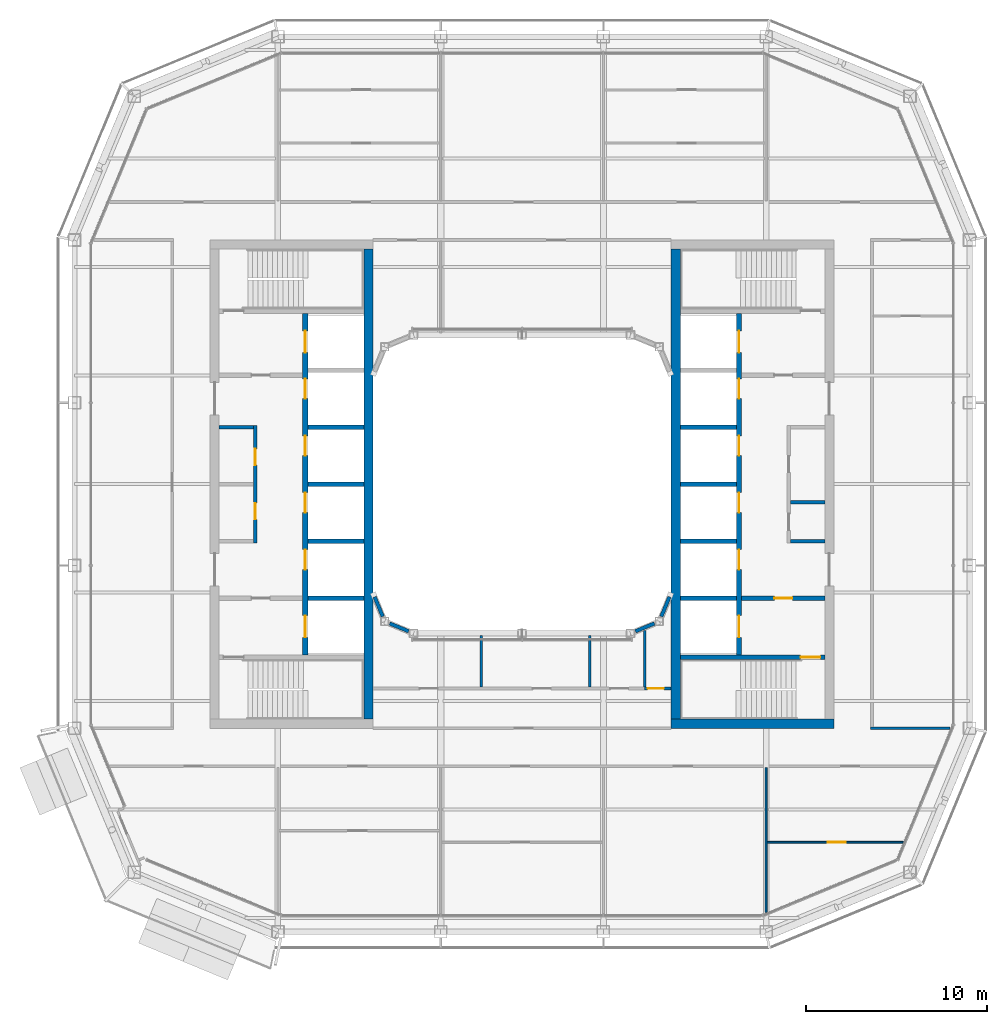
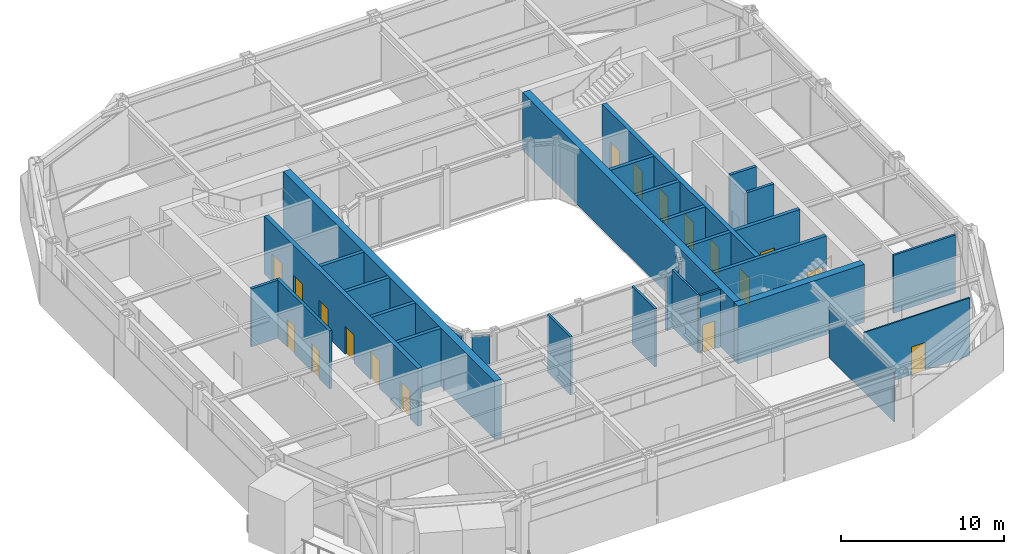
# One storey, part 12 of 21: 30 walls, 18 doors, 18 openings.
"""IFC4 building model written with IfcOpenShell, lengths in metres."""

import ifcopenshell
import ifcopenshell.guid

model = None  # the IFC model being written
_history = None  # IfcOwnerHistory: only IFC2X3 demands one
_inside = {}  # id of a spatial element -> (the spatial element, [elements in it])
_under = {}  # id of a project, library or spatial element -> (it, [spatial elements below it])
_declared = {}  # id of a project -> (the project, [libraries it declares])
_typed = {}  # id of a type object -> (the type object, [elements of that type])
_made_of = {}  # id of a material, layer set ... -> (it, [elements and type objects made of it])


def new_model(schema):
    """Start an empty IFC model of exactly this schema.

    Asked for "IFC4X3", IfcOpenShell would pick the latest addendum, in which some entities
    have other attributes; the version numbers below select the first issue.
    IFC2X3 requires an IfcOwnerHistory on every rooted entity: one is made here for all.
    """
    global model, _history
    if schema == "IFC4X3":
        model = ifcopenshell.file(schema_version=(4, 3, 0, 0))
    else:
        model = ifcopenshell.file(schema=schema)
    _inside.clear()
    _under.clear()
    _declared.clear()
    _typed.clear()
    _made_of.clear()
    _history = None
    if model.schema == "IFC2X3":
        org = make("IfcOrganization", Name="unknown")
        user = make(
            "IfcPersonAndOrganization",
            ThePerson=make("IfcPerson", FamilyName="unknown"),
            TheOrganization=org,
        )
        app = make(
            "IfcApplication",
            ApplicationDeveloper=org,
            Version="unknown",
            ApplicationFullName="unknown",
            ApplicationIdentifier="unknown",
        )
        _history = make(
            "IfcOwnerHistory",
            OwningUser=user,
            OwningApplication=app,
            ChangeAction="ADDED",
            CreationDate=0,
        )
    return model


def make(cls, **values):
    """One entity of the class cls with the attributes given. An attribute that is None is left unset."""
    return model.create_entity(
        cls, **{name: value for name, value in values.items() if value is not None}
    )


def rooted(cls, **values):
    """An entity with a GlobalId (a new one), such as an element, a storey or a relation."""
    return make(cls, GlobalId=ifcopenshell.guid.new(), OwnerHistory=_history, **values)


def si_unit(unit_type, name, prefix=None):
    """IfcSIUnit, for example si_unit("LENGTHUNIT", "METRE", prefix="MILLI")."""
    return make("IfcSIUnit", UnitType=unit_type, Prefix=prefix, Name=name)


def assignment(units):
    """IfcUnitAssignment: the units of a project."""
    return None if units is None else make("IfcUnitAssignment", Units=units)


def point(xyz):
    """IfcCartesianPoint."""
    return None if xyz is None else make("IfcCartesianPoint", Coordinates=xyz)


def direction(xyz):
    """IfcDirection."""
    return None if xyz is None else make("IfcDirection", DirectionRatios=xyz)


def frame(location, z_axis=None, x_axis=None):
    """IfcAxis2Placement3D, a coordinate frame: its origin and axes. An axis left out is left unset."""
    return make(
        "IfcAxis2Placement3D",
        Location=point(location),
        Axis=direction(z_axis),
        RefDirection=direction(x_axis),
    )


def frame_2d(location, x_axis=None):
    """IfcAxis2Placement2D, a coordinate frame in the plane: its origin and x axis."""
    return make(
        "IfcAxis2Placement2D", Location=point(location), RefDirection=direction(x_axis)
    )


def origin():
    """The frame at (0, 0, 0) with its axes left unset."""
    return frame((0.0, 0.0, 0.0))


def place(relative_to, where):
    """IfcLocalPlacement: puts the frame where relative to a parent placement (None: the world)."""
    return make(
        "IfcLocalPlacement", PlacementRelTo=relative_to, RelativePlacement=where
    )


def context(
    kind, dimensions, precision=None, world=None, true_north=None, identifier=None
):
    """IfcGeometricRepresentationContext, for example the 3D "Model" context."""
    return make(
        "IfcGeometricRepresentationContext",
        ContextIdentifier=identifier,
        ContextType=kind,
        CoordinateSpaceDimension=dimensions,
        Precision=precision,
        WorldCoordinateSystem=world,
        TrueNorth=true_north,
    )


def subcontext(parent, identifier, kind, view, scale=None):
    """IfcGeometricRepresentationSubContext, for example "Body" below "Model"."""
    return make(
        "IfcGeometricRepresentationSubContext",
        ContextIdentifier=identifier,
        ContextType=kind,
        ParentContext=parent,
        TargetScale=scale,
        TargetView=view,
    )


def project(units=None, contexts=None):
    """IfcProject with its units and contexts."""
    return rooted(
        "IfcProject",
        Name="project",
        RepresentationContexts=contexts,
        UnitsInContext=assignment(units),
    )


def spatial(cls, under=None, at=None, **own):
    """A site, building, storey or space (cls), placed at a placement, below another one or the project."""
    s = rooted(cls, ObjectPlacement=at, **own)
    if under is not None:
        _under.setdefault(under.id(), (under, []))[1].append(s)
    return s


def profile(cls, at=None, kind="AREA", **sizes):
    """A parametric profile (cls). Its sizes go by their IFC names, for example OverallWidth=200.0."""
    return make(cls, ProfileType=kind, Position=at, **sizes)


def rectangle(**sizes):
    """IfcRectangleProfileDef."""
    return profile("IfcRectangleProfileDef", **sizes)


def extrude(swept, where, along, depth):
    """IfcExtrudedAreaSolid: the profile swept, set in the frame where, extruded along a direction by depth."""
    return make(
        "IfcExtrudedAreaSolid",
        SweptArea=swept,
        Position=where,
        ExtrudedDirection=direction(along),
        Depth=depth,
    )


def shape(context_of_items, identifier, shape_type, items):
    """IfcShapeRepresentation: the items that make up one representation, for example the "Body"."""
    return make(
        "IfcShapeRepresentation",
        ContextOfItems=context_of_items,
        RepresentationIdentifier=identifier,
        RepresentationType=shape_type,
        Items=items,
    )


def material(Name=None, Category=None):
    """IfcMaterial."""
    return make("IfcMaterial", Name=Name, Category=Category)


def layer(
    of_material, thickness, ventilated=None, Name=None, Category=None, Priority=None
):
    """IfcMaterialLayer: one layer of a wall or slab, of a material (None: an air gap)."""
    return make(
        "IfcMaterialLayer",
        Material=of_material,
        LayerThickness=thickness,
        IsVentilated=ventilated,
        Name=Name,
        Category=Category,
        Priority=Priority,
    )


def layer_set(layers, Name=None):
    """IfcMaterialLayerSet."""
    return make("IfcMaterialLayerSet", MaterialLayers=layers, LayerSetName=Name)


def made_of(thing, what):
    """Note that an element or type object is made of a material, layer set ...; save() writes the relation."""
    if what is not None:
        _made_of.setdefault(what.id(), (what, []))[1].append(thing)
    return thing


def type_object(cls, material=None, **own):
    """A type object (cls), such as IfcWallType, which elements share."""
    return made_of(rooted(cls, **own), material)


def element(
    cls,
    number,
    at=None,
    inside=None,
    cuts=None,
    type_object=None,
    material=None,
    context=None,
    identifier="Body",
    shape_type=None,
    held_by="IfcProductDefinitionShape",
    body=None,
    shapes=None,
    **own,
):
    """One element of the class cls, such as IfcWall. Its Tag is "e" and its number.

    at: its placement. inside: the storey or other place that contains it. cuts: it is an
    opening in that element (IfcRelVoidsElement). A single representation is given by context,
    identifier, shape_type and body (its items); several are given by shapes. held_by: the class
    of the entity that holds the representations. save() writes the other relations.
    """
    e = rooted(cls, Tag="e%d" % number, ObjectPlacement=at, **own)
    if body is not None:
        shapes = [shape(context, identifier, shape_type, body)]
    if shapes is not None:
        e.Representation = make(held_by, Representations=shapes)
    if inside is not None:
        _inside.setdefault(inside.id(), (inside, []))[1].append(e)
    if cuts is not None:
        rooted(
            "IfcRelVoidsElement", RelatingBuildingElement=cuts, RelatedOpeningElement=e
        )
    if type_object is not None:
        _typed.setdefault(type_object.id(), (type_object, []))[1].append(e)
    return made_of(e, material)


def fill(opening, filler):
    """IfcRelFillsElement: the door or window that sits in an opening."""
    return rooted(
        "IfcRelFillsElement",
        RelatingOpeningElement=opening,
        RelatedBuildingElement=filler,
    )


def aggregate(whole, parts):
    """IfcRelAggregates: a whole, such as a stair, and the parts it consists of."""
    return rooted("IfcRelAggregates", RelatingObject=whole, RelatedObjects=parts)


def save(model, path):
    """Write the relations noted so far, then the file.

    IfcRelAggregates (storeys below a building ...), IfcRelContainedInSpatialStructure (elements
    in a storey), IfcRelDefinesByType, IfcRelAssociatesMaterial and IfcRelDeclares: one each for
    every whole, place, type object, material and project.
    """
    for whole, parts in _under.values():
        aggregate(whole, parts)
    for where, things in _inside.values():
        rooted(
            "IfcRelContainedInSpatialStructure",
            RelatedElements=things,
            RelatingStructure=where,
        )
    for kind, things in _typed.values():
        rooted("IfcRelDefinesByType", RelatedObjects=things, RelatingType=kind)
    for what, things in _made_of.values():
        rooted("IfcRelAssociatesMaterial", RelatedObjects=things, RelatingMaterial=what)
    for by, libraries in _declared.values():
        rooted("IfcRelDeclares", RelatingContext=by, RelatedDefinitions=libraries)
    model.write(path)


model = new_model("IFC4")

# Units and contexts
model_context = context("Model", 3, precision=1e-05, world=origin(), true_north=direction((0.0, 1.0)))
body_context = subcontext(model_context, "Body", "Model", "MODEL_VIEW")
ifc_project = project(units=[si_unit("LENGTHUNIT", "METRE"), si_unit("AREAUNIT", "SQUARE_METRE"), si_unit("VOLUMEUNIT", "CUBIC_METRE"), si_unit("PLANEANGLEUNIT", "RADIAN"), si_unit("MASSUNIT", "GRAM", prefix="KILO")], contexts=[model_context])

# Site, building, storey
site_placement = place(None, origin())
site = spatial("IfcSite", under=ifc_project, at=site_placement, CompositionType="ELEMENT")
building_placement = place(site_placement, origin())
building = spatial("IfcBuilding", under=site, at=building_placement, Name="Siwar Civic Tower", CompositionType="ELEMENT")
storey_placement = place(building_placement, frame((0.0, 0.0, 334.699951171875)))
storey = spatial("IfcBuildingStorey", under=building, at=storey_placement, Name="L72", CompositionType="ELEMENT", Elevation=334.699951171875)

# Wall, opening, door
ifc_material_1 = material(Name="Gypsum board on steel studs", Category="steel")
ifc_layer_1 = layer(ifc_material_1, 0.14990234375)
ifc_layer_set_1 = layer_set([ifc_layer_1], Name="Gypsum board on steel studs")
wall_type_1 = type_object("IfcWallType", Name="COMPARTMENT PARTITION 150 EI 60", PredefinedType="PARTITIONING", material=ifc_layer_set_1)
wall_1_placement = place(storey_placement, frame((6.780029296875, -11.300048828125, 0.0), z_axis=(0.0, 0.0, 1.0), x_axis=(1.0, 0.0, 0.0)))
wall_1 = element("IfcWall", 1, at=wall_1_placement, inside=storey, type_object=wall_type_1, Name="L72/wall/P09", PredefinedType="PARTITIONING", context=body_context, shape_type="SweptSolid", body=[
    extrude(rectangle(XDim=1.469970703125, YDim=0.14990234375, at=frame_2d((0.73486328125, 0.0))), origin(), (0.0, 0.0, 1.0), 4.35009765625),
])
opening_1_placement = place(wall_1_placement, frame((0.169921875, 0.0, 0.0)))
opening_1 = element("IfcOpeningElement", 2, at=opening_1_placement, cuts=wall_1, Name="Opening D4", PredefinedType="OPENING", context=body_context, shape_type="SweptSolid", body=[
    extrude(rectangle(XDim=0.89990234375, YDim=2.10009765625, at=frame_2d((0.449951171875, 1.050048828125))), frame((0.0, 0.0849609375, 0.0), z_axis=(0.0, -1.0, 0.0), x_axis=(1.0, 0.0, 0.0)), (0.0, 0.0, 1.0), 0.169921875),
])
ifc_material_2 = material(Name="Timber, painted", Category="wood")
door_type_1 = type_object("IfcDoorType", Name="DOOR 900 X 2100 FD60", OperationType="SINGLE_SWING_LEFT", PredefinedType="DOOR", material=ifc_material_2)
door_1_placement = place(opening_1_placement, origin())
door_1 = element("IfcDoor", 3, at=door_1_placement, inside=storey, type_object=door_type_1, Name="L72-D27", OperationType="SINGLE_SWING_LEFT", OverallHeight=2.10009765625, OverallWidth=0.89990234375, PredefinedType="DOOR", context=body_context, shape_type="SweptSolid", body=[
    extrude(rectangle(XDim=0.89990234375, YDim=2.10009765625, at=frame_2d((0.449951171875, 1.050048828125))), frame((0.0, 0.02490234375, 0.0), z_axis=(0.0, -1.0, 0.0), x_axis=(1.0, 0.0, 0.0)), (0.0, 0.0, 1.0), 0.050048828125),
])
fill(opening_1, door_1)

# Wall
wall_2_placement = place(storey_placement, frame((6.780029296875, -11.22509765625, 0.0), z_axis=(0.0, 0.0, 1.0), x_axis=(0.0, 1.0, 0.0)))
element("IfcWall", 4, at=wall_2_placement, inside=storey, type_object=wall_type_1, Name="L72/wall/P29", PredefinedType="PARTITIONING", context=body_context, shape_type="SweptSolid", body=[
    extrude(rectangle(XDim=3.13818359375, YDim=0.14990234375, at=frame_2d((1.569091796875, 0.0))), origin(), (0.0, 0.0, 1.0), 4.35009765625),
])

# Wall, openings, doors
ifc_material_3 = material(Name="Gypsum board on steel studs", Category="steel")
ifc_layer_2 = layer(ifc_material_3, 0.199951171875)
ifc_layer_set_2 = layer_set([ifc_layer_2], Name="Gypsum board on steel studs")
wall_type_2 = type_object("IfcWallType", Name="CORE-PARTITION-200", PredefinedType="PARTITIONING", material=ifc_layer_set_2)
wall_3_placement = place(storey_placement, frame((-14.75, -3.25, 0.0), z_axis=(0.0, 0.0, 1.0), x_axis=(0.0, 1.0, 0.0)))
wall_3 = element("IfcWall", 5, at=wall_3_placement, inside=storey, type_object=wall_type_2, Name="Core partition W", PredefinedType="PARTITIONING", context=body_context, shape_type="SweptSolid", body=[
    extrude(rectangle(XDim=6.5, YDim=0.199951171875, at=frame_2d((3.25, 0.0))), origin(), (0.0, 0.0, 1.0), 4.35009765625),
])
opening_2_placement = place(wall_3_placement, frame((1.300048828125, 0.0, 0.0)))
opening_2 = element("IfcOpeningElement", 6, at=opening_2_placement, cuts=wall_3, Name="Opening L72-CW13", PredefinedType="OPENING", context=body_context, shape_type="SweptSolid", body=[
    extrude(rectangle(XDim=0.89990234375, YDim=2.10009765625, at=frame_2d((0.449951171875, 1.050048828125))), frame((0.0, 0.10986328125, 0.0), z_axis=(0.0, -1.0, 0.0), x_axis=(1.0, 0.0, 0.0)), (0.0, 0.0, 1.0), 0.219970703125),
])
opening_3_placement = place(wall_3_placement, frame((4.300048828125, 0.0, 0.0)))
opening_3 = element("IfcOpeningElement", 7, at=opening_3_placement, cuts=wall_3, Name="Opening L72-CW14", PredefinedType="OPENING", context=body_context, shape_type="SweptSolid", body=[
    extrude(rectangle(XDim=0.89990234375, YDim=2.10009765625, at=frame_2d((0.449951171875, 1.050048828125))), frame((0.0, 0.10986328125, 0.0), z_axis=(0.0, -1.0, 0.0), x_axis=(1.0, 0.0, 0.0)), (0.0, 0.0, 1.0), 0.219970703125),
])
ifc_material_4 = material(Name="Steel door leaf", Category="steel")
door_type_2 = type_object("IfcDoorType", Name="CORE-DOOR-ROOM", OperationType="SINGLE_SWING_LEFT", PredefinedType="DOOR", material=ifc_material_4)
door_2_placement = place(opening_2_placement, origin())
door_2 = element("IfcDoor", 8, at=door_2_placement, inside=storey, type_object=door_type_2, Name="Core room door L72-CW13", OperationType="SINGLE_SWING_LEFT", OverallHeight=2.10009765625, OverallWidth=0.89990234375, PredefinedType="DOOR", context=body_context, shape_type="SweptSolid", body=[
    extrude(rectangle(XDim=0.89990234375, YDim=2.10009765625, at=frame_2d((0.449951171875, 1.050048828125))), frame((0.0, 0.02490234375, 0.0), z_axis=(0.0, -1.0, 0.0), x_axis=(1.0, 0.0, 0.0)), (0.0, 0.0, 1.0), 0.050048828125),
])
fill(opening_2, door_2)
door_3_placement = place(opening_3_placement, origin())
door_3 = element("IfcDoor", 9, at=door_3_placement, inside=storey, type_object=door_type_2, Name="Core room door L72-CW14", OperationType="SINGLE_SWING_RIGHT", OverallHeight=2.10009765625, OverallWidth=0.89990234375, PredefinedType="DOOR", context=body_context, shape_type="SweptSolid", body=[
    extrude(rectangle(XDim=0.89990234375, YDim=2.10009765625, at=frame_2d((0.449951171875, 1.050048828125))), frame((0.0, 0.02490234375, 0.0), z_axis=(0.0, -1.0, 0.0), x_axis=(1.0, 0.0, 0.0)), (0.0, 0.0, 1.0), 0.050048828125),
])
fill(opening_3, door_3)

# Walls
for number, where, z_axis, x_axis, name in (
    (10, (-14.85009765625, 3.14990234375, 0.0), (0.0, 0.0, 1.0), (-1.0, 0.0, 0.0), "Core partition W"),
    (11, (14.85009765625, -3.14990234375, 0.0), (0.0, 0.0, 1.0), (1.0, 0.0, 0.0), "Core partition E"),
    (12, (14.85009765625, -1.0, 0.0), (0.0, 0.0, 1.0), (1.0, 0.0, 0.0), "Core partition E"),
):
    element("IfcWall", number, at=place(storey_placement, frame(where, z_axis=z_axis, x_axis=x_axis)), inside=storey, type_object=wall_type_2, Name=name, PredefinedType="PARTITIONING", context=body_context, shape_type="SweptSolid", body=[
        extrude(rectangle(XDim=1.89990234375, YDim=0.199951171875, at=frame_2d((0.949951171875, 0.0))), origin(), (0.0, 0.0, 1.0), 4.35009765625),
    ])
ifc_material_5 = material(Name="Concrete C60/75", Category="concrete")
ifc_layer_3 = layer(ifc_material_5, 0.25)
ifc_layer_set_3 = layer_set([ifc_layer_3], Name="Concrete C60/75")
wall_type_3 = type_object("IfcWallType", Name="CORE-WALL-RC250", PredefinedType="SHEAR", material=ifc_layer_set_3)
for number, where, z_axis, x_axis, name in (
    (13, (-8.75, 0.0, 0.0), (0.0, 0.0, 1.0), (-1.0, 0.0, 0.0), "Core wall W"),
    (14, (-8.75, 3.14990234375, 0.0), (0.0, 0.0, 1.0), (-1.0, 0.0, 0.0), "Core wall W"),
    (15, (-8.75, -3.14990234375, 0.0), (0.0, 0.0, 1.0), (-1.0, 0.0, 0.0), "Core wall W"),
    (16, (-8.75, -6.300048828125, 0.0), (0.0, 0.0, 1.0), (-1.0, 0.0, 0.0), "Core wall W"),
):
    element("IfcWall", number, at=place(storey_placement, frame(where, z_axis=z_axis, x_axis=x_axis)), inside=storey, type_object=wall_type_3, Name=name, PredefinedType="SHEAR", context=body_context, shape_type="SweptSolid", body=[
        extrude(rectangle(XDim=3.10009765625, YDim=0.25, at=frame_2d((1.550048828125, 0.0))), origin(), (0.0, 0.0, 1.0), 4.35009765625),
    ])

# Wall, opening, door
wall_4_placement = place(storey_placement, frame((12.14990234375, -6.300048828125, 0.0), z_axis=(0.0, 0.0, 1.0), x_axis=(1.0, 0.0, 0.0)))
wall_4 = element("IfcWall", 17, at=wall_4_placement, inside=storey, type_object=wall_type_3, Name="Core wall E", PredefinedType="SHEAR", context=body_context, shape_type="SweptSolid", body=[
    extrude(rectangle(XDim=4.60009765625, YDim=0.25, at=frame_2d((2.300048828125, 0.0))), origin(), (0.0, 0.0, 1.0), 4.35009765625),
])
opening_4_placement = place(wall_4_placement, frame((1.800048828125, 0.0, 0.0)))
opening_4 = element("IfcOpeningElement", 18, at=opening_4_placement, cuts=wall_4, Name="Opening L72-CE02", PredefinedType="OPENING", context=body_context, shape_type="SweptSolid", body=[
    extrude(rectangle(XDim=1.0, YDim=2.10009765625, at=frame_2d((0.5, 1.050048828125))), frame((0.0, 0.135009765625, 0.0), z_axis=(0.0, -1.0, 0.0), x_axis=(1.0, 0.0, 0.0)), (0.0, 0.0, 1.0), 0.27001953125),
])
ifc_material_6 = material(Name="Steel door leaf", Category="steel")
door_type_3 = type_object("IfcDoorType", Name="CORE-DOOR-FD30S", OperationType="SINGLE_SWING_LEFT", PredefinedType="DOOR", material=ifc_material_6)
door_4_placement = place(opening_4_placement, origin())
door_4 = element("IfcDoor", 19, at=door_4_placement, inside=storey, type_object=door_type_3, Name="Service lobby door L72-CE02", OperationType="SINGLE_SWING_LEFT", OverallHeight=2.10009765625, OverallWidth=1.0, PredefinedType="DOOR", context=body_context, shape_type="SweptSolid", body=[
    extrude(rectangle(XDim=1.0, YDim=2.10009765625, at=frame_2d((0.5, 1.050048828125))), frame((0.0, 0.02490234375, 0.0), z_axis=(0.0, -1.0, 0.0), x_axis=(1.0, 0.0, 0.0)), (0.0, 0.0, 1.0), 0.050048828125),
])
fill(opening_4, door_4)

# Walls
for number, where, z_axis, x_axis, name in (
    (20, (8.75, 0.0, 0.0), (0.0, 0.0, 1.0), (1.0, 0.0, 0.0), "Core wall E"),
    (21, (8.75, 3.14990234375, 0.0), (0.0, 0.0, 1.0), (1.0, 0.0, 0.0), "Core wall E"),
    (22, (8.75, -3.14990234375, 0.0), (0.0, 0.0, 1.0), (1.0, 0.0, 0.0), "Core wall E"),
    (23, (8.75, -6.300048828125, 0.0), (0.0, 0.0, 1.0), (1.0, 0.0, 0.0), "Core wall E"),
):
    element("IfcWall", number, at=place(storey_placement, frame(where, z_axis=z_axis, x_axis=x_axis)), inside=storey, type_object=wall_type_3, Name=name, PredefinedType="SHEAR", context=body_context, shape_type="SweptSolid", body=[
        extrude(rectangle(XDim=3.10009765625, YDim=0.25, at=frame_2d((1.550048828125, 0.0))), origin(), (0.0, 0.0, 1.0), 4.35009765625),
    ])

# Wall, opening, door
wall_5_placement = place(storey_placement, frame((8.75, -9.574951171875, 0.0), z_axis=(0.0, 0.0, 1.0), x_axis=(1.0, 0.0, 0.0)))
wall_5 = element("IfcWall", 24, at=wall_5_placement, inside=storey, type_object=wall_type_3, Name="Core wall E", PredefinedType="SHEAR", context=body_context, shape_type="SweptSolid", body=[
    extrude(rectangle(XDim=8.0, YDim=0.25, at=frame_2d((4.0, 0.0))), origin(), (0.0, 0.0, 1.0), 4.35009765625),
])
opening_5_placement = place(wall_5_placement, frame((6.64990234375, 0.0, 0.0)))
opening_5 = element("IfcOpeningElement", 25, at=opening_5_placement, cuts=wall_5, Name="Opening L72-CE04", PredefinedType="OPENING", context=body_context, shape_type="SweptSolid", body=[
    extrude(rectangle(XDim=1.10009765625, YDim=2.10009765625, at=frame_2d((0.550048828125, 1.050048828125))), frame((0.0, 0.135009765625, 0.0), z_axis=(0.0, -1.0, 0.0), x_axis=(1.0, 0.0, 0.0)), (0.0, 0.0, 1.0), 0.27001953125),
])
ifc_material_7 = material(Name="Steel door leaf", Category="steel")
door_type_4 = type_object("IfcDoorType", Name="CORE-DOOR-FD60S", OperationType="SINGLE_SWING_LEFT", PredefinedType="DOOR", material=ifc_material_7)
door_5_placement = place(opening_5_placement, origin())
door_5 = element("IfcDoor", 26, at=door_5_placement, inside=storey, type_object=door_type_4, Name="Stair door L72-CE04", OperationType="SINGLE_SWING_RIGHT", OverallHeight=2.10009765625, OverallWidth=1.10009765625, PredefinedType="DOOR", context=body_context, shape_type="SweptSolid", body=[
    extrude(rectangle(XDim=1.10009765625, YDim=2.10009765625, at=frame_2d((0.550048828125, 1.050048828125))), frame((0.0, 0.02490234375, 0.0), z_axis=(0.0, -1.0, 0.0), x_axis=(1.0, 0.0, 0.0)), (0.0, 0.0, 1.0), 0.050048828125),
])
fill(opening_5, door_5)

# Wall, openings, doors
ifc_material_8 = material(Name="Concrete C60/75", Category="concrete")
ifc_layer_4 = layer(ifc_material_8, 0.300048828125)
ifc_layer_set_4 = layer_set([ifc_layer_4], Name="Concrete C60/75")
wall_type_4 = type_object("IfcWallType", Name="CORE-WALL-RC300", PredefinedType="SHEAR", material=ifc_layer_set_4)
wall_6_placement = place(storey_placement, frame((-12.0, -9.449951171875, 0.0), z_axis=(0.0, 0.0, 1.0), x_axis=(0.0, 1.0, 0.0)))
wall_6 = element("IfcWall", 27, at=wall_6_placement, inside=storey, type_object=wall_type_4, Name="Core wall W", PredefinedType="SHEAR", context=body_context, shape_type="SweptSolid", body=[
    extrude(rectangle(XDim=18.89990234375, YDim=0.300048828125, at=frame_2d((9.449951171875, 0.0))), origin(), (0.0, 0.0, 1.0), 4.35009765625),
])
opening_6_placement = place(wall_6_placement, frame((4.72509765625, 0.0, 0.0)))
opening_6 = element("IfcOpeningElement", 28, at=opening_6_placement, cuts=wall_6, Name="Opening L72-CW07", PredefinedType="OPENING", context=body_context, shape_type="SweptSolid", body=[
    extrude(rectangle(XDim=1.10009765625, YDim=2.10009765625, at=frame_2d((0.550048828125, 1.050048828125))), frame((0.0, 0.16015625, 0.0), z_axis=(0.0, -1.0, 0.0), x_axis=(1.0, 0.0, 0.0)), (0.0, 0.0, 1.0), 0.320068359375),
])
opening_7_placement = place(wall_6_placement, frame((7.875, 0.0, 0.0)))
opening_7 = element("IfcOpeningElement", 29, at=opening_7_placement, cuts=wall_6, Name="Opening L72-CW08", PredefinedType="OPENING", context=body_context, shape_type="SweptSolid", body=[
    extrude(rectangle(XDim=1.10009765625, YDim=2.10009765625, at=frame_2d((0.550048828125, 1.050048828125))), frame((0.0, 0.16015625, 0.0), z_axis=(0.0, -1.0, 0.0), x_axis=(1.0, 0.0, 0.0)), (0.0, 0.0, 1.0), 0.320068359375),
])
opening_8_placement = place(wall_6_placement, frame((11.02490234375, 0.0, 0.0)))
opening_8 = element("IfcOpeningElement", 30, at=opening_8_placement, cuts=wall_6, Name="Opening L72-CW09", PredefinedType="OPENING", context=body_context, shape_type="SweptSolid", body=[
    extrude(rectangle(XDim=1.10009765625, YDim=2.10009765625, at=frame_2d((0.550048828125, 1.050048828125))), frame((0.0, 0.16015625, 0.0), z_axis=(0.0, -1.0, 0.0), x_axis=(1.0, 0.0, 0.0)), (0.0, 0.0, 1.0), 0.320068359375),
])
opening_9_placement = place(wall_6_placement, frame((14.175048828125, 0.0, 0.0)))
opening_9 = element("IfcOpeningElement", 31, at=opening_9_placement, cuts=wall_6, Name="Opening L72-CW10", PredefinedType="OPENING", context=body_context, shape_type="SweptSolid", body=[
    extrude(rectangle(XDim=1.10009765625, YDim=2.10009765625, at=frame_2d((0.550048828125, 1.050048828125))), frame((0.0, 0.16015625, 0.0), z_axis=(0.0, -1.0, 0.0), x_axis=(1.0, 0.0, 0.0)), (0.0, 0.0, 1.0), 0.320068359375),
])
opening_10_placement = place(wall_6_placement, frame((16.72509765625, 0.0, 0.0)))
opening_10 = element("IfcOpeningElement", 32, at=opening_10_placement, cuts=wall_6, Name="Opening L72-CW11", PredefinedType="OPENING", context=body_context, shape_type="SweptSolid", body=[
    extrude(rectangle(XDim=1.199951171875, YDim=2.10009765625, at=frame_2d((0.60009765625, 1.050048828125))), frame((0.0, 0.16015625, 0.0), z_axis=(0.0, -1.0, 0.0), x_axis=(1.0, 0.0, 0.0)), (0.0, 0.0, 1.0), 0.320068359375),
])
opening_11_placement = place(wall_6_placement, frame((0.97509765625, 0.0, 0.0)))
opening_11 = element("IfcOpeningElement", 33, at=opening_11_placement, cuts=wall_6, Name="Opening L72-CW12", PredefinedType="OPENING", context=body_context, shape_type="SweptSolid", body=[
    extrude(rectangle(XDim=1.199951171875, YDim=2.10009765625, at=frame_2d((0.60009765625, 1.050048828125))), frame((0.0, 0.16015625, 0.0), z_axis=(0.0, -1.0, 0.0), x_axis=(1.0, 0.0, 0.0)), (0.0, 0.0, 1.0), 0.320068359375),
])
ifc_material_9 = material(Name="Steel door leaf", Category="steel")
door_type_5 = type_object("IfcDoorType", Name="CORE-DOOR-LD", OperationType="DOUBLE_DOOR_SLIDING", PredefinedType="DOOR", material=ifc_material_9)
door_6_placement = place(opening_6_placement, origin())
door_6 = element("IfcDoor", 34, at=door_6_placement, inside=storey, type_object=door_type_5, Name="Landing door HR1 L72-CW07", OperationType="DOUBLE_DOOR_SLIDING", OverallHeight=2.10009765625, OverallWidth=1.10009765625, PredefinedType="DOOR", context=body_context, shape_type="SweptSolid", body=[
    extrude(rectangle(XDim=1.10009765625, YDim=2.10009765625, at=frame_2d((0.550048828125, 1.050048828125))), frame((0.0, 0.02490234375, 0.0), z_axis=(0.0, -1.0, 0.0), x_axis=(1.0, 0.0, 0.0)), (0.0, 0.0, 1.0), 0.050048828125),
])
fill(opening_6, door_6)
door_7_placement = place(opening_7_placement, origin())
door_7 = element("IfcDoor", 35, at=door_7_placement, inside=storey, type_object=door_type_5, Name="Landing door HR2 L72-CW08", OperationType="DOUBLE_DOOR_SLIDING", OverallHeight=2.10009765625, OverallWidth=1.10009765625, PredefinedType="DOOR", context=body_context, shape_type="SweptSolid", body=[
    extrude(rectangle(XDim=1.10009765625, YDim=2.10009765625, at=frame_2d((0.550048828125, 1.050048828125))), frame((0.0, 0.02490234375, 0.0), z_axis=(0.0, -1.0, 0.0), x_axis=(1.0, 0.0, 0.0)), (0.0, 0.0, 1.0), 0.050048828125),
])
fill(opening_7, door_7)
door_8_placement = place(opening_8_placement, origin())
door_8 = element("IfcDoor", 36, at=door_8_placement, inside=storey, type_object=door_type_5, Name="Landing door HR3 L72-CW09", OperationType="DOUBLE_DOOR_SLIDING", OverallHeight=2.10009765625, OverallWidth=1.10009765625, PredefinedType="DOOR", context=body_context, shape_type="SweptSolid", body=[
    extrude(rectangle(XDim=1.10009765625, YDim=2.10009765625, at=frame_2d((0.550048828125, 1.050048828125))), frame((0.0, 0.02490234375, 0.0), z_axis=(0.0, -1.0, 0.0), x_axis=(1.0, 0.0, 0.0)), (0.0, 0.0, 1.0), 0.050048828125),
])
fill(opening_8, door_8)
door_9_placement = place(opening_9_placement, origin())
door_9 = element("IfcDoor", 37, at=door_9_placement, inside=storey, type_object=door_type_5, Name="Landing door HR4 L72-CW10", OperationType="DOUBLE_DOOR_SLIDING", OverallHeight=2.10009765625, OverallWidth=1.10009765625, PredefinedType="DOOR", context=body_context, shape_type="SweptSolid", body=[
    extrude(rectangle(XDim=1.10009765625, YDim=2.10009765625, at=frame_2d((0.550048828125, 1.050048828125))), frame((0.0, 0.02490234375, 0.0), z_axis=(0.0, -1.0, 0.0), x_axis=(1.0, 0.0, 0.0)), (0.0, 0.0, 1.0), 0.050048828125),
])
fill(opening_9, door_9)
ifc_material_10 = material(Name="Steel door leaf", Category="steel")
door_type_6 = type_object("IfcDoorType", Name="CORE-DOOR-LDW", OperationType="DOUBLE_DOOR_SLIDING", PredefinedType="DOOR", material=ifc_material_10)
door_10_placement = place(opening_10_placement, origin())
door_10 = element("IfcDoor", 38, at=door_10_placement, inside=storey, type_object=door_type_6, Name="Landing door FF1 L72-CW11", OperationType="DOUBLE_DOOR_SLIDING", OverallHeight=2.10009765625, OverallWidth=1.199951171875, PredefinedType="DOOR", context=body_context, shape_type="SweptSolid", body=[
    extrude(rectangle(XDim=1.199951171875, YDim=2.10009765625, at=frame_2d((0.60009765625, 1.050048828125))), frame((0.0, 0.02490234375, 0.0), z_axis=(0.0, -1.0, 0.0), x_axis=(1.0, 0.0, 0.0)), (0.0, 0.0, 1.0), 0.050048828125),
])
fill(opening_10, door_10)
door_11_placement = place(opening_11_placement, origin())
door_11 = element("IfcDoor", 39, at=door_11_placement, inside=storey, type_object=door_type_6, Name="Landing door SV1 L72-CW12", OperationType="DOUBLE_DOOR_SLIDING", OverallHeight=2.10009765625, OverallWidth=1.199951171875, PredefinedType="DOOR", context=body_context, shape_type="SweptSolid", body=[
    extrude(rectangle(XDim=1.199951171875, YDim=2.10009765625, at=frame_2d((0.60009765625, 1.050048828125))), frame((0.0, 0.02490234375, 0.0), z_axis=(0.0, -1.0, 0.0), x_axis=(1.0, 0.0, 0.0)), (0.0, 0.0, 1.0), 0.050048828125),
])
fill(opening_11, door_11)

wall_7_placement = place(storey_placement, frame((12.0, -9.449951171875, 0.0), z_axis=(0.0, 0.0, 1.0), x_axis=(0.0, 1.0, 0.0)))
wall_7 = element("IfcWall", 40, at=wall_7_placement, inside=storey, type_object=wall_type_4, Name="Core wall E", PredefinedType="SHEAR", context=body_context, shape_type="SweptSolid", body=[
    extrude(rectangle(XDim=18.89990234375, YDim=0.300048828125, at=frame_2d((9.449951171875, 0.0))), origin(), (0.0, 0.0, 1.0), 4.35009765625),
])
opening_12_placement = place(wall_7_placement, frame((4.72509765625, 0.0, 0.0)))
opening_12 = element("IfcOpeningElement", 41, at=opening_12_placement, cuts=wall_7, Name="Opening L72-CE07", PredefinedType="OPENING", context=body_context, shape_type="SweptSolid", body=[
    extrude(rectangle(XDim=1.10009765625, YDim=2.10009765625, at=frame_2d((0.550048828125, 1.050048828125))), frame((0.0, 0.16015625, 0.0), z_axis=(0.0, -1.0, 0.0), x_axis=(1.0, 0.0, 0.0)), (0.0, 0.0, 1.0), 0.320068359375),
])
opening_13_placement = place(wall_7_placement, frame((7.875, 0.0, 0.0)))
opening_13 = element("IfcOpeningElement", 42, at=opening_13_placement, cuts=wall_7, Name="Opening L72-CE08", PredefinedType="OPENING", context=body_context, shape_type="SweptSolid", body=[
    extrude(rectangle(XDim=1.10009765625, YDim=2.10009765625, at=frame_2d((0.550048828125, 1.050048828125))), frame((0.0, 0.16015625, 0.0), z_axis=(0.0, -1.0, 0.0), x_axis=(1.0, 0.0, 0.0)), (0.0, 0.0, 1.0), 0.320068359375),
])
opening_14_placement = place(wall_7_placement, frame((11.02490234375, 0.0, 0.0)))
opening_14 = element("IfcOpeningElement", 43, at=opening_14_placement, cuts=wall_7, Name="Opening L72-CE09", PredefinedType="OPENING", context=body_context, shape_type="SweptSolid", body=[
    extrude(rectangle(XDim=1.10009765625, YDim=2.10009765625, at=frame_2d((0.550048828125, 1.050048828125))), frame((0.0, 0.16015625, 0.0), z_axis=(0.0, -1.0, 0.0), x_axis=(1.0, 0.0, 0.0)), (0.0, 0.0, 1.0), 0.320068359375),
])
opening_15_placement = place(wall_7_placement, frame((14.175048828125, 0.0, 0.0)))
opening_15 = element("IfcOpeningElement", 44, at=opening_15_placement, cuts=wall_7, Name="Opening L72-CE10", PredefinedType="OPENING", context=body_context, shape_type="SweptSolid", body=[
    extrude(rectangle(XDim=1.10009765625, YDim=2.10009765625, at=frame_2d((0.550048828125, 1.050048828125))), frame((0.0, 0.16015625, 0.0), z_axis=(0.0, -1.0, 0.0), x_axis=(1.0, 0.0, 0.0)), (0.0, 0.0, 1.0), 0.320068359375),
])
opening_16_placement = place(wall_7_placement, frame((16.72509765625, 0.0, 0.0)))
opening_16 = element("IfcOpeningElement", 45, at=opening_16_placement, cuts=wall_7, Name="Opening L72-CE11", PredefinedType="OPENING", context=body_context, shape_type="SweptSolid", body=[
    extrude(rectangle(XDim=1.199951171875, YDim=2.10009765625, at=frame_2d((0.60009765625, 1.050048828125))), frame((0.0, 0.16015625, 0.0), z_axis=(0.0, -1.0, 0.0), x_axis=(1.0, 0.0, 0.0)), (0.0, 0.0, 1.0), 0.320068359375),
])
opening_17_placement = place(wall_7_placement, frame((0.97509765625, 0.0, 0.0)))
opening_17 = element("IfcOpeningElement", 46, at=opening_17_placement, cuts=wall_7, Name="Opening L72-CE12", PredefinedType="OPENING", context=body_context, shape_type="SweptSolid", body=[
    extrude(rectangle(XDim=1.199951171875, YDim=2.10009765625, at=frame_2d((0.60009765625, 1.050048828125))), frame((0.0, 0.16015625, 0.0), z_axis=(0.0, -1.0, 0.0), x_axis=(1.0, 0.0, 0.0)), (0.0, 0.0, 1.0), 0.320068359375),
])
door_12_placement = place(opening_12_placement, origin())
door_12 = element("IfcDoor", 47, at=door_12_placement, inside=storey, type_object=door_type_5, Name="Landing door HR5 L72-CE07", OperationType="DOUBLE_DOOR_SLIDING", OverallHeight=2.10009765625, OverallWidth=1.10009765625, PredefinedType="DOOR", context=body_context, shape_type="SweptSolid", body=[
    extrude(rectangle(XDim=1.10009765625, YDim=2.10009765625, at=frame_2d((0.550048828125, 1.050048828125))), frame((0.0, 0.02490234375, 0.0), z_axis=(0.0, -1.0, 0.0), x_axis=(1.0, 0.0, 0.0)), (0.0, 0.0, 1.0), 0.050048828125),
])
fill(opening_12, door_12)
door_13_placement = place(opening_13_placement, origin())
door_13 = element("IfcDoor", 48, at=door_13_placement, inside=storey, type_object=door_type_5, Name="Landing door HR6 L72-CE08", OperationType="DOUBLE_DOOR_SLIDING", OverallHeight=2.10009765625, OverallWidth=1.10009765625, PredefinedType="DOOR", context=body_context, shape_type="SweptSolid", body=[
    extrude(rectangle(XDim=1.10009765625, YDim=2.10009765625, at=frame_2d((0.550048828125, 1.050048828125))), frame((0.0, 0.02490234375, 0.0), z_axis=(0.0, -1.0, 0.0), x_axis=(1.0, 0.0, 0.0)), (0.0, 0.0, 1.0), 0.050048828125),
])
fill(opening_13, door_13)
door_14_placement = place(opening_14_placement, origin())
door_14 = element("IfcDoor", 49, at=door_14_placement, inside=storey, type_object=door_type_5, Name="Landing door HR7 L72-CE09", OperationType="DOUBLE_DOOR_SLIDING", OverallHeight=2.10009765625, OverallWidth=1.10009765625, PredefinedType="DOOR", context=body_context, shape_type="SweptSolid", body=[
    extrude(rectangle(XDim=1.10009765625, YDim=2.10009765625, at=frame_2d((0.550048828125, 1.050048828125))), frame((0.0, 0.02490234375, 0.0), z_axis=(0.0, -1.0, 0.0), x_axis=(1.0, 0.0, 0.0)), (0.0, 0.0, 1.0), 0.050048828125),
])
fill(opening_14, door_14)
door_15_placement = place(opening_15_placement, origin())
door_15 = element("IfcDoor", 50, at=door_15_placement, inside=storey, type_object=door_type_5, Name="Landing door HR8 L72-CE10", OperationType="DOUBLE_DOOR_SLIDING", OverallHeight=2.10009765625, OverallWidth=1.10009765625, PredefinedType="DOOR", context=body_context, shape_type="SweptSolid", body=[
    extrude(rectangle(XDim=1.10009765625, YDim=2.10009765625, at=frame_2d((0.550048828125, 1.050048828125))), frame((0.0, 0.02490234375, 0.0), z_axis=(0.0, -1.0, 0.0), x_axis=(1.0, 0.0, 0.0)), (0.0, 0.0, 1.0), 0.050048828125),
])
fill(opening_15, door_15)
door_16_placement = place(opening_16_placement, origin())
door_16 = element("IfcDoor", 51, at=door_16_placement, inside=storey, type_object=door_type_6, Name="Landing door FF2 L72-CE11", OperationType="DOUBLE_DOOR_SLIDING", OverallHeight=2.10009765625, OverallWidth=1.199951171875, PredefinedType="DOOR", context=body_context, shape_type="SweptSolid", body=[
    extrude(rectangle(XDim=1.199951171875, YDim=2.10009765625, at=frame_2d((0.60009765625, 1.050048828125))), frame((0.0, 0.02490234375, 0.0), z_axis=(0.0, -1.0, 0.0), x_axis=(1.0, 0.0, 0.0)), (0.0, 0.0, 1.0), 0.050048828125),
])
fill(opening_16, door_16)
door_17_placement = place(opening_17_placement, origin())
door_17 = element("IfcDoor", 52, at=door_17_placement, inside=storey, type_object=door_type_6, Name="Landing door SV2 L72-CE12", OperationType="DOUBLE_DOOR_SLIDING", OverallHeight=2.10009765625, OverallWidth=1.199951171875, PredefinedType="DOOR", context=body_context, shape_type="SweptSolid", body=[
    extrude(rectangle(XDim=1.199951171875, YDim=2.10009765625, at=frame_2d((0.60009765625, 1.050048828125))), frame((0.0, 0.02490234375, 0.0), z_axis=(0.0, -1.0, 0.0), x_axis=(1.0, 0.0, 0.0)), (0.0, 0.0, 1.0), 0.050048828125),
])
fill(opening_17, door_17)

# Walls
ifc_material_11 = material(Name="Concrete C60/75", Category="concrete")
ifc_layer_5 = layer(ifc_material_11, 0.5)
ifc_layer_set_5 = layer_set([ifc_layer_5], Name="Concrete C60/75")
wall_type_5 = type_object("IfcWallType", Name="CORE-WALL-RC500", PredefinedType="SHEAR", material=ifc_layer_set_5)
wall_8_placement = place(storey_placement, frame((8.25, -13.25, 0.0), z_axis=(0.0, 0.0, 1.0), x_axis=(1.0, 0.0, 0.0)))
element("IfcWall", 53, at=wall_8_placement, inside=storey, type_object=wall_type_5, Name="Core wall E", PredefinedType="SHEAR", context=body_context, shape_type="SweptSolid", body=[
    extrude(rectangle(XDim=9.0, YDim=0.5, at=frame_2d((4.5, 0.0))), origin(), (0.0, 0.0, 1.0), 4.35009765625),
])
ifc_material_12 = material(Name="Concrete C60/75", Category="concrete")
ifc_layer_6 = layer(ifc_material_12, 0.5)
ifc_layer_set_6 = layer_set([ifc_layer_6], Name="Concrete C60/75")
wall_type_6 = type_object("IfcWallType", Name="CORE-WALL-RC500-EXT", PredefinedType="SHEAR", material=ifc_layer_set_6)
for number, where, z_axis, x_axis, name in (
    (54, (-8.5, -13.0, 0.0), (0.0, 0.0, 1.0), (0.0, 1.0, 0.0), "Core wall W"),
    (55, (8.5, -13.0, 0.0), (0.0, 0.0, 1.0), (0.0, 1.0, 0.0), "Core wall E"),
):
    element("IfcWall", number, at=place(storey_placement, frame(where, z_axis=z_axis, x_axis=x_axis)), inside=storey, type_object=wall_type_6, Name=name, PredefinedType="SHEAR", context=body_context, shape_type="SweptSolid", body=[
        extrude(rectangle(XDim=26.0, YDim=0.5, at=frame_2d((13.0, 0.0))), origin(), (0.0, 0.0, 1.0), 4.35009765625),
    ])
ifc_material_13 = material(Name="Gypsum board on steel studs", Category="steel")
ifc_layer_7 = layer(ifc_material_13, 0.14990234375)
ifc_layer_set_7 = layer_set([ifc_layer_7], Name="Gypsum board on steel studs")
wall_type_7 = type_object("IfcWallType", Name="CORRIDOR PARTITION 150 EI 30", PredefinedType="PARTITIONING", material=ifc_layer_set_7)
wall_9_placement = place(storey_placement, frame((19.27490234375, -13.5, 0.0), z_axis=(0.0, 0.0, 1.0), x_axis=(1.0, 0.0, 0.0)))
element("IfcWall", 56, at=wall_9_placement, inside=storey, type_object=wall_type_7, Name="L72/wall/P07", PredefinedType="PARTITIONING", context=body_context, shape_type="SweptSolid", body=[
    extrude(rectangle(XDim=4.403076171875, YDim=0.14990234375, at=frame_2d((2.20166015625, 0.0))), origin(), (0.0, 0.0, 1.0), 4.35009765625),
])
for number, where, z_axis, x_axis, name in (
    (57, (-2.25, -11.22509765625, 0.0), (0.0, 0.0, 1.0), (0.0, 1.0, 0.0), "L72/wall/P25"),
    (58, (3.75, -11.22509765625, 0.0), (0.0, 0.0, 1.0), (0.0, 1.0, 0.0), "L72/wall/P26"),
):
    element("IfcWall", number, at=place(storey_placement, frame(where, z_axis=z_axis, x_axis=x_axis)), inside=storey, type_object=wall_type_7, Name=name, PredefinedType="PARTITIONING", context=body_context, shape_type="SweptSolid", body=[
        extrude(rectangle(XDim=2.85498046875, YDim=0.14990234375, at=frame_2d((1.427490234375, 0.0))), origin(), (0.0, 0.0, 1.0), 4.35009765625),
    ])
ifc_material_14 = material(Name="Aluminium clad insulated panel", Category="aluminium")
ifc_layer_8 = layer(ifc_material_14, 0.199951171875)
ifc_layer_set_8 = layer_set([ifc_layer_8], Name="Aluminium clad insulated panel")
wall_type_8 = type_object("IfcWallType", Name="ENV-WALL-WELL", PredefinedType="STANDARD", material=ifc_layer_set_8)
wall_10_placement = place(storey_placement, frame((6.271484375, -8.137451171875, 0.0), z_axis=(0.0, 0.0, 1.0), x_axis=(0.923864661962, 0.382719331074, 0.0)))
element("IfcWall", 59, at=wall_10_placement, inside=storey, type_object=wall_type_8, Name="Light well corner wall SE1", PredefinedType="STANDARD", context=body_context, shape_type="SweptSolid", body=[
    extrude(rectangle(XDim=1.13427734375, YDim=0.199951171875, at=frame_2d((0.567138671875, 0.0))), origin(), (0.0, 0.0, 1.0), 4.010009765625),
])
for number, where, z_axis, x_axis, name in (
    (60, (7.703369140625, -7.3193359375, 0.0), (0.0, 0.0, 1.0), (0.382760542083, 0.92384758885, 0.0), "Light well corner wall SE2"),
    (61, (-8.154296875, -6.23095703125, 0.0), (0.0, 0.0, 1.0), (0.382760542083, -0.92384758885, 0.0), "Light well corner wall SW1"),
):
    element("IfcWall", number, at=place(storey_placement, frame(where, z_axis=z_axis, x_axis=x_axis)), inside=storey, type_object=wall_type_8, Name=name, PredefinedType="STANDARD", context=body_context, shape_type="SweptSolid", body=[
        extrude(rectangle(XDim=1.177978515625, YDim=0.199951171875, at=frame_2d((0.5888671875, 0.0))), origin(), (0.0, 0.0, 1.0), 4.010009765625),
    ])
wall_11_placement = place(storey_placement, frame((-7.3193359375, -7.703369140625, 0.0), z_axis=(0.0, 0.0, 1.0), x_axis=(0.923864661962, -0.382719331074, 0.0)))
element("IfcWall", 62, at=wall_11_placement, inside=storey, type_object=wall_type_8, Name="Light well corner wall SW2", PredefinedType="STANDARD", context=body_context, shape_type="SweptSolid", body=[
    extrude(rectangle(XDim=1.13427734375, YDim=0.199951171875, at=frame_2d((0.567138671875, 0.0))), origin(), (0.0, 0.0, 1.0), 4.010009765625),
])

# Wall, opening, door
ifc_material_15 = material(Name="Gypsum board on steel studs", Category="steel")
ifc_layer_9 = layer(ifc_material_15, 0.10009765625)
ifc_layer_set_9 = layer_set([ifc_layer_9], Name="Gypsum board on steel studs")
wall_type_9 = type_object("IfcWallType", Name="PARTITION 100 GYPSUM", PredefinedType="PARTITIONING", material=ifc_layer_set_9)
wall_12_placement = place(storey_placement, frame((13.550048828125, -19.800048828125, 0.0), z_axis=(0.0, 0.0, 1.0), x_axis=(1.0, 0.0, 0.0)))
wall_12 = element("IfcWall", 63, at=wall_12_placement, inside=storey, type_object=wall_type_9, Name="L72/wall/P02", PredefinedType="PARTITIONING", context=body_context, shape_type="SweptSolid", body=[
    extrude(rectangle(XDim=7.51904296875, YDim=0.10009765625, at=frame_2d((3.759521484375, 0.0))), origin(), (0.0, 0.0, 1.0), 4.35009765625),
])
opening_18_placement = place(wall_12_placement, frame((3.35009765625, 0.0, 0.0)))
opening_18 = element("IfcOpeningElement", 64, at=opening_18_placement, cuts=wall_12, Name="Opening D2", PredefinedType="OPENING", context=body_context, shape_type="SweptSolid", body=[
    extrude(rectangle(XDim=1.0, YDim=2.10009765625, at=frame_2d((0.5, 1.050048828125))), frame((0.0, 0.06005859375, 0.0), z_axis=(0.0, -1.0, 0.0), x_axis=(1.0, 0.0, 0.0)), (0.0, 0.0, 1.0), 0.1201171875),
])
ifc_material_16 = material(Name="Timber, painted", Category="wood")
door_type_7 = type_object("IfcDoorType", Name="DOOR 1000 X 2100", OperationType="SINGLE_SWING_LEFT", PredefinedType="DOOR", material=ifc_material_16)
door_18_placement = place(opening_18_placement, origin())
door_18 = element("IfcDoor", 65, at=door_18_placement, inside=storey, type_object=door_type_7, Name="L72-D17", OperationType="SINGLE_SWING_LEFT", OverallHeight=2.10009765625, OverallWidth=1.0, PredefinedType="DOOR", context=body_context, shape_type="SweptSolid", body=[
    extrude(rectangle(XDim=1.0, YDim=2.10009765625, at=frame_2d((0.5, 1.050048828125))), frame((0.0, 0.02490234375, 0.0), z_axis=(0.0, -1.0, 0.0), x_axis=(1.0, 0.0, 0.0)), (0.0, 0.0, 1.0), 0.050048828125),
])
fill(opening_18, door_18)

# Wall
wall_13_placement = place(storey_placement, frame((13.5, -23.677978515625, 0.0), z_axis=(0.0, 0.0, 1.0), x_axis=(0.0, 1.0, 0.0)))
element("IfcWall", 66, at=wall_13_placement, inside=storey, type_object=wall_type_9, Name="L72/wall/P30", PredefinedType="PARTITIONING", context=body_context, shape_type="SweptSolid", body=[
    extrude(rectangle(XDim=8.0029296875, YDim=0.10009765625, at=frame_2d((4.00146484375, 0.0))), origin(), (0.0, 0.0, 1.0), 3.75),
])

save(model, "model.ifc")
